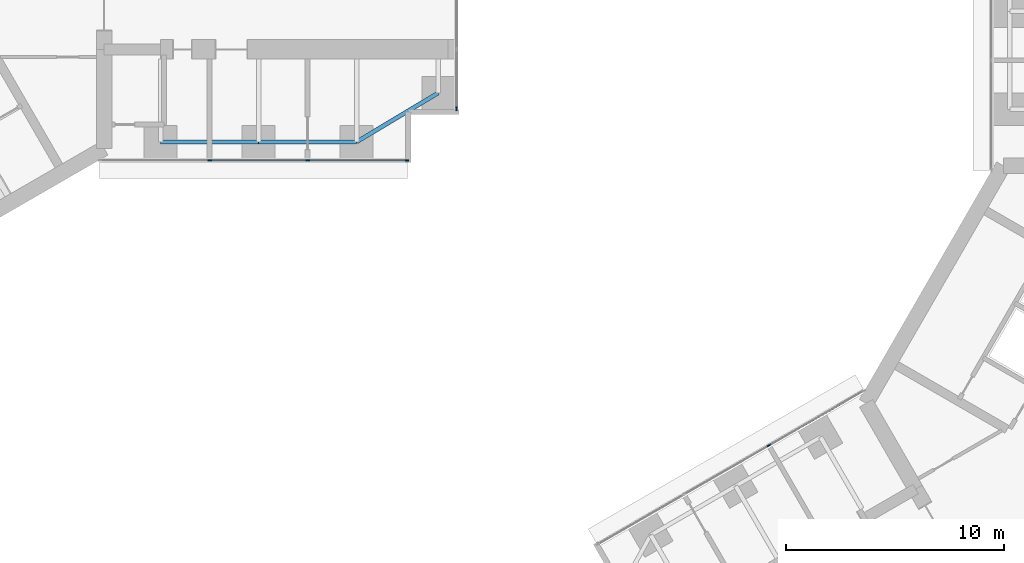
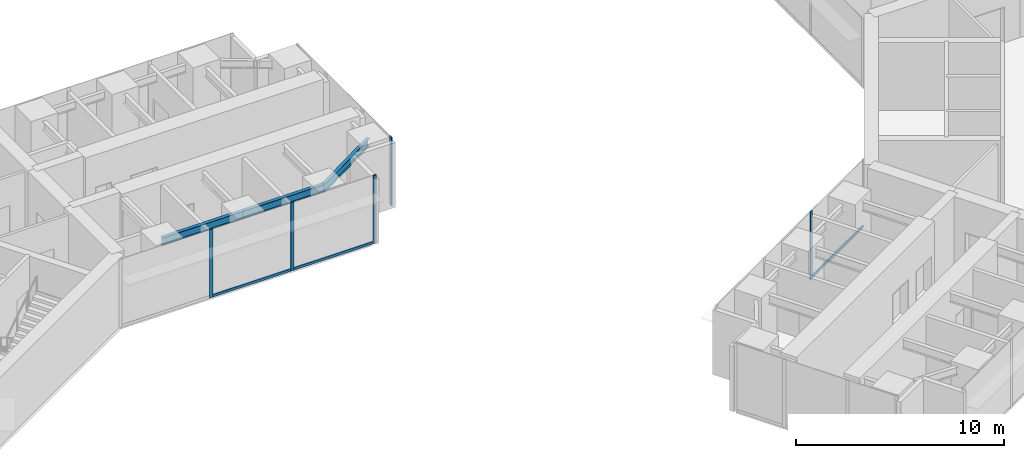
# One storey, part 5 of 22: 8 members, 3 beams, 3 elements without a shape of their own.
"""IFC4 building model written with IfcOpenShell, lengths in metres."""

from ifc_helpers import new_model, si_unit, direction, frame, origin, origin_2d, place, context, subcontext, project, spatial, rectangle, i_section, extrude, material, material_profile, profile_set, type_object, element, aggregate, save


model = new_model("IFC4")

# Units and contexts
model_context = context("Model", 3, precision=1e-05, world=origin(), true_north=direction((0.0, 1.0)))
body_context = subcontext(model_context, "Body", "Model", "MODEL_VIEW")
ifc_project = project(units=[si_unit("LENGTHUNIT", "METRE"), si_unit("AREAUNIT", "SQUARE_METRE"), si_unit("VOLUMEUNIT", "CUBIC_METRE"), si_unit("PLANEANGLEUNIT", "RADIAN"), si_unit("MASSUNIT", "GRAM", prefix="KILO")], contexts=[model_context])

# Site, building, storey
site_placement = place(None, origin())
site = spatial("IfcSite", under=ifc_project, at=site_placement, CompositionType="ELEMENT")
building_placement = place(site_placement, origin())
building = spatial("IfcBuilding", under=site, at=building_placement, Name="Upepo Twin Towers", CompositionType="ELEMENT")
storey_placement = place(building_placement, frame((0.0, 0.0, 44.5)))
storey = spatial("IfcBuildingStorey", under=building, at=storey_placement, Name="L10", CompositionType="ELEMENT", Elevation=44.5)

# Beams
ifc_material_1 = material(Name="Steel S355", Category="steel")
ifc_material_profile_1 = material_profile(ifc_material_1, i_section(OverallWidth=0.1904296875, OverallDepth=0.45703125, WebThickness=0.009033203125, FlangeThickness=0.014404296875, FilletRadius=0.01025390625, at=origin_2d()), Name="UB 457x191x74")
ifc_profile_set_1 = profile_set([ifc_material_profile_1], Name="Steel S355")
beam_type = type_object("IfcBeamType", Name="Beam UB 457x191x74", PredefinedType="BEAM", material=ifc_profile_set_1)
for number, where, z_axis, x_axis, name in (
    (1, (13.5, -6.0, 3.571533203125), (1.0, 0.0, 0.0), (0.0, 1.0, 0.0), "T1 edge beam AR 13.5-18.0"),
    (2, (18.0, -6.0, 3.571533203125), (1.0, 0.0, 0.0), (0.0, 1.0, 0.0), "T1 edge beam AR 18.0-22.5"),
):
    element("IfcBeam", number, at=place(storey_placement, frame(where, z_axis=z_axis, x_axis=x_axis)), inside=storey, type_object=beam_type, Name=name, PredefinedType="BEAM", context=body_context, shape_type="SweptSolid", body=[
        extrude(i_section(OverallWidth=0.1904296875, OverallDepth=0.45703125, WebThickness=0.009033203125, FlangeThickness=0.014404296875, FilletRadius=0.01025390625, at=origin_2d()), origin(), (0.0, 0.0, 1.0), 4.5),
    ])
beam_placement = place(storey_placement, frame((22.5, -6.0, 3.571533203125), z_axis=(0.857492925713, 0.514495755428, 0.0), x_axis=(-0.514495755428, 0.857492925713, 0.0)))
element("IfcBeam", 3, at=beam_placement, inside=storey, type_object=beam_type, Name="T1 nose edge beam AR", PredefinedType="BEAM", context=body_context, shape_type="SweptSolid", body=[
    extrude(i_section(OverallWidth=0.1904296875, OverallDepth=0.45703125, WebThickness=0.009033203125, FlangeThickness=0.014404296875, FilletRadius=0.01025390625, at=origin_2d()), origin(), (0.0, 0.0, 1.0), 4.373291015625),
])

# Curtain wall, members
ifc_material_2 = material(Name="Aluminium and fritted glass", Category="aluminium")
curtain_wall_type = type_object("IfcCurtainWallType", Name="Tower curtain wall TW1, fritted glass", PredefinedType="NOTDEFINED", material=ifc_material_2)
curtain_wall_1_placement = place(storey_placement, origin())
curtain_wall_1 = element("IfcCurtainWall", 4, at=curtain_wall_1_placement, inside=storey, type_object=curtain_wall_type, Name="T1 L10 wing A flank R curtain wall", PredefinedType="NOTDEFINED")
ifc_material_3 = material(Name="Aluminium mullion", Category="aluminium")
ifc_material_profile_2 = material_profile(ifc_material_3, rectangle(XDim=0.06494140625, YDim=0.179931640625, at=origin_2d()), Name="MULLION 65x180")
ifc_profile_set_2 = profile_set([ifc_material_profile_2], Name="Aluminium mullion")
member_type_1 = type_object("IfcMemberType", Name="Mullion 65x180 TW1", PredefinedType="MULLION", material=ifc_profile_set_2)
member_1_placement = place(storey_placement, frame((24.8173828125, -6.85009765625, 0.0), z_axis=(0.0, 0.0, 1.0), x_axis=(0.0, -1.0, 0.0)))
member_1 = element("IfcMember", 5, at=member_1_placement, type_object=member_type_1, Name="T1 L10 wing A flank R curtain wall mullion 1", PredefinedType="MULLION", context=body_context, shape_type="SweptSolid", body=[
    extrude(rectangle(XDim=0.06494140625, YDim=0.179931640625, at=origin_2d()), origin(), (0.0, 0.0, 1.0), 4.0),
])
member_2_placement = place(storey_placement, frame((20.25, -6.85009765625, 0.0), z_axis=(0.0, 0.0, 1.0), x_axis=(0.0, -1.0, 0.0)))
member_2 = element("IfcMember", 6, at=member_2_placement, type_object=member_type_1, Name="T1 L10 wing A flank R curtain wall mullion 2", PredefinedType="MULLION", context=body_context, shape_type="SweptSolid", body=[
    extrude(rectangle(XDim=0.06494140625, YDim=0.179931640625, at=origin_2d()), origin(), (0.0, 0.0, 1.0), 4.0),
])
member_3_placement = place(storey_placement, frame((15.75, -6.85009765625, 0.0), z_axis=(0.0, 0.0, 1.0), x_axis=(0.0, -1.0, 0.0)))
member_3 = element("IfcMember", 7, at=member_3_placement, type_object=member_type_1, Name="T1 L10 wing A flank R curtain wall mullion 3", PredefinedType="MULLION", context=body_context, shape_type="SweptSolid", body=[
    extrude(rectangle(XDim=0.06494140625, YDim=0.179931640625, at=origin_2d()), origin(), (0.0, 0.0, 1.0), 4.0),
])

# Curtain wall, member
curtain_wall_2_placement = place(storey_placement, origin())
curtain_wall_2 = element("IfcCurtainWall", 8, at=curtain_wall_2_placement, inside=storey, type_object=curtain_wall_type, Name="T1 L10 wing A nose curtain wall", PredefinedType="NOTDEFINED")
member_4_placement = place(storey_placement, frame((27.10009765625, -4.467529296875, 0.0), z_axis=(0.0, 0.0, 1.0), x_axis=(-1.0, 0.0, 0.0)))
member_4 = element("IfcMember", 9, at=member_4_placement, type_object=member_type_1, Name="T1 L10 wing A nose curtain wall mullion 1", PredefinedType="MULLION", context=body_context, shape_type="SweptSolid", body=[
    extrude(rectangle(XDim=0.06494140625, YDim=0.179931640625, at=origin_2d()), origin(), (0.0, 0.0, 1.0), 4.0),
])
aggregate(curtain_wall_2, [member_4])

curtain_wall_3_placement = place(storey_placement, origin())
curtain_wall_3 = element("IfcCurtainWall", 10, at=curtain_wall_3_placement, inside=storey, type_object=curtain_wall_type, Name="T2 L10 wing B flank R curtain wall", PredefinedType="NOTDEFINED")
member_5_placement = place(storey_placement, frame((41.43505859375, -19.942626953125, 0.0), z_axis=(0.0, 0.0, 1.0), x_axis=(-0.500000024426, 0.866025389682, 0.0)))
member_5 = element("IfcMember", 11, at=member_5_placement, type_object=member_type_1, Name="T2 L10 wing B flank R curtain wall mullion 3", PredefinedType="MULLION", context=body_context, shape_type="SweptSolid", body=[
    extrude(rectangle(XDim=0.06494140625, YDim=0.179931640625, at=origin_2d()), origin(), (0.0, 0.0, 1.0), 4.0),
])

# Member
ifc_material_4 = material(Name="Aluminium transom", Category="aluminium")
ifc_material_profile_3 = material_profile(ifc_material_4, rectangle(XDim=0.06494140625, YDim=0.14990234375, at=origin_2d()), Name="TRANSOM 65x150")
ifc_profile_set_3 = profile_set([ifc_material_profile_3], Name="Aluminium transom")
member_type_2 = type_object("IfcMemberType", Name="Transom 65x150 TW1", PredefinedType="USERDEFINED", material=ifc_profile_set_3)
member_6_placement = place(storey_placement, frame((24.784912109375, -6.85009765625, 0.074951171875), z_axis=(-1.0, 0.0, 0.0), x_axis=(0.0, -1.0, 0.0)))
member_6 = element("IfcMember", 12, at=member_6_placement, type_object=member_type_2, Name="T1 L10 wing A flank R curtain wall transom 1", ObjectType="TRANSOM", PredefinedType="USERDEFINED", context=body_context, shape_type="SweptSolid", body=[
    extrude(rectangle(XDim=0.06494140625, YDim=0.14990234375, at=origin_2d()), origin(), (0.0, 0.0, 1.0), 4.50244140625),
])

member_7_placement = place(storey_placement, frame((20.217529296875, -6.85009765625, 0.074951171875), z_axis=(-1.0, 0.0, 0.0), x_axis=(0.0, -1.0, 0.0)))
member_7 = element("IfcMember", 13, at=member_7_placement, type_object=member_type_2, Name="T1 L10 wing A flank R curtain wall transom 2", ObjectType="TRANSOM", PredefinedType="USERDEFINED", context=body_context, shape_type="SweptSolid", body=[
    extrude(rectangle(XDim=0.06494140625, YDim=0.14990234375, at=origin_2d()), origin(), (0.0, 0.0, 1.0), 4.43505859375),
])

aggregate(curtain_wall_1, [member_1, member_2, member_3, member_6, member_7])

member_8_placement = place(storey_placement, frame((41.463134765625, -19.926513671875, 0.074951171875), z_axis=(0.866034933967, 0.499983492876, 0.0), x_axis=(-0.499983492876, 0.866034933967, 0.0)))
member_8 = element("IfcMember", 14, at=member_8_placement, type_object=member_type_2, Name="T2 L10 wing B flank R curtain wall transom 3", ObjectType="TRANSOM", PredefinedType="USERDEFINED", context=body_context, shape_type="SweptSolid", body=[
    extrude(rectangle(XDim=0.06494140625, YDim=0.14990234375, at=origin_2d()), origin(), (0.0, 0.0, 1.0), 4.965576171875),
])

aggregate(curtain_wall_3, [member_5, member_8])

save(model, "model.ifc")
